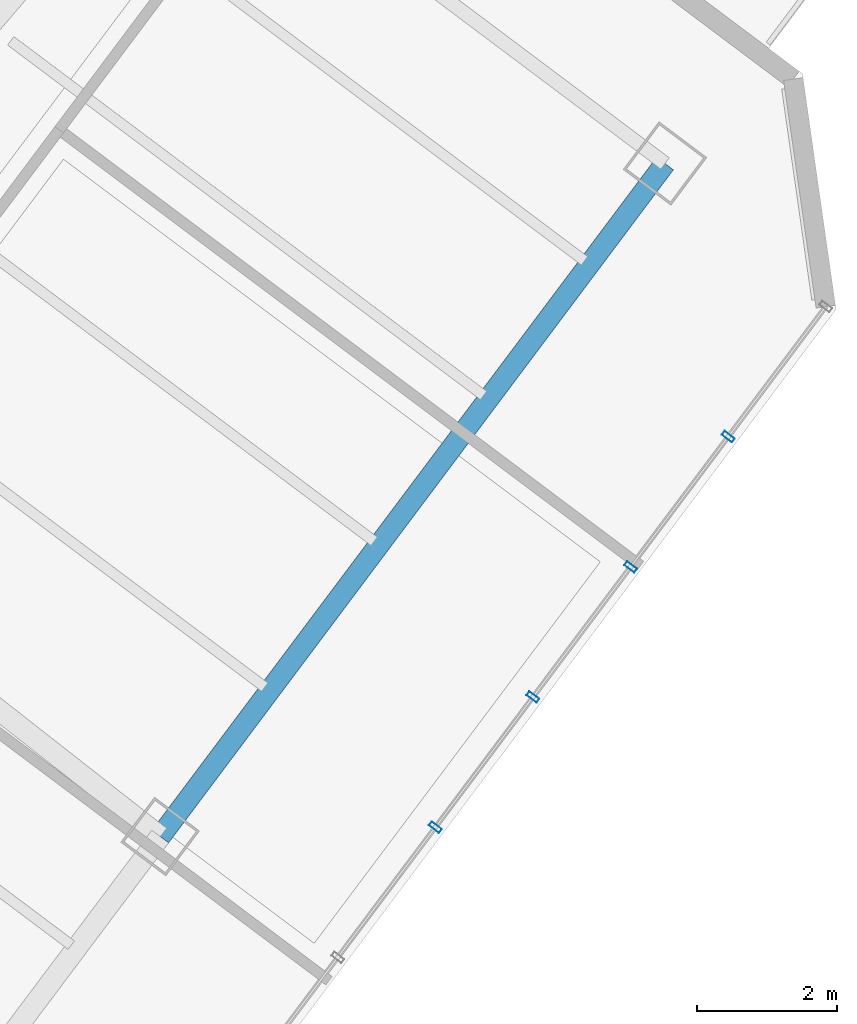
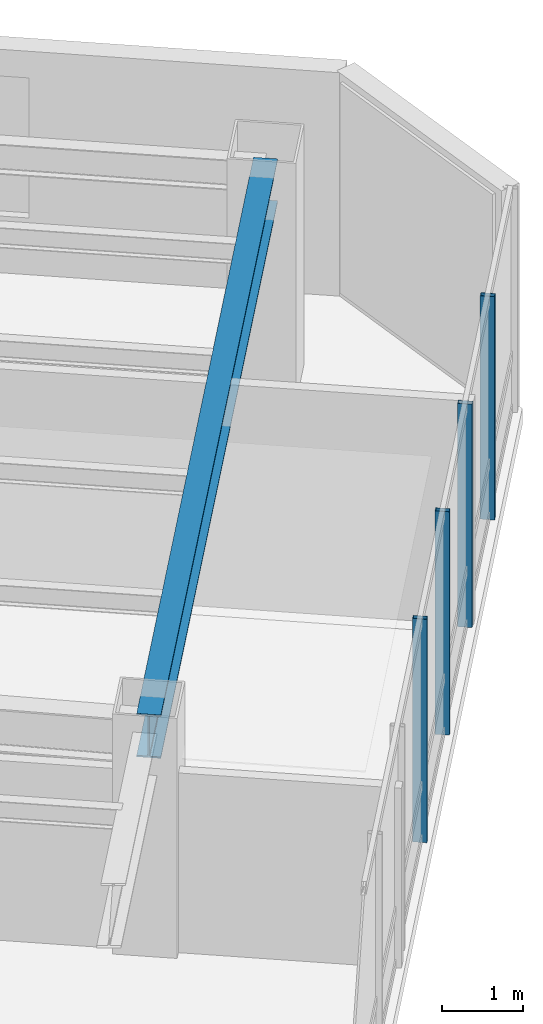
# One storey, part 13 of 27: 4 members, 1 beam, 1 element without a shape of its own.
"""IFC4 building model written with IfcOpenShell, lengths in metres."""

from ifc_helpers import new_model, si_unit, direction, frame, origin, origin_2d, place, context, subcontext, project, spatial, hollow_rectangle, i_section, extrude, material, layer, layer_set, material_profile, profile_set, type_object, element, aggregate, save


model = new_model("IFC4")

# Units and contexts
model_context = context("Model", 3, precision=1e-05, world=origin(), true_north=direction((0.0, 1.0)))
body_context = subcontext(model_context, "Body", "Model", "MODEL_VIEW")
ifc_project = project(units=[si_unit("LENGTHUNIT", "METRE"), si_unit("AREAUNIT", "SQUARE_METRE"), si_unit("VOLUMEUNIT", "CUBIC_METRE"), si_unit("PLANEANGLEUNIT", "RADIAN"), si_unit("MASSUNIT", "GRAM", prefix="KILO")], contexts=[model_context])

# Site, building, storey
site_placement = place(None, origin())
site = spatial("IfcSite", under=ifc_project, at=site_placement, CompositionType="ELEMENT")
building_placement = place(site_placement, origin())
building = spatial("IfcBuilding", under=site, at=building_placement, Name="Hatsunagi Terrace Concourse", CompositionType="ELEMENT")
storey_placement = place(building_placement, frame((0.0, 0.0, 142.050048828125)))
storey = spatial("IfcBuildingStorey", under=building, at=storey_placement, Name="L37", CompositionType="ELEMENT", Elevation=142.050048828125)

# Curtain wall, members
ifc_material_1 = material(Name="Anodised Aluminium Alloy 6063-T5", Category="aluminium")
ifc_layer = layer(ifc_material_1, 0.199951171875)
ifc_layer_set = layer_set([ifc_layer], Name="OfficeZone1_CW03")
curtain_wall_type = type_object("IfcCurtainWallType", Name="OfficeZone1_CW03", PredefinedType="NOTDEFINED", material=ifc_layer_set)
curtain_wall_placement = place(storey_placement, origin())
curtain_wall = element("IfcCurtainWall", 1, at=curtain_wall_placement, inside=storey, type_object=curtain_wall_type, Name="Unitised Curtain Wall CW-03 CW-L37-03", PredefinedType="NOTDEFINED")
ifc_material_2 = material(Name="Anodised Aluminium Alloy 6063-T5", Category="aluminium")
ifc_material_profile_1 = material_profile(ifc_material_2, hollow_rectangle(XDim=0.070068359375, YDim=0.179931640625, WallThickness=0.00390625, at=origin_2d()), Name="ALU-MUL-180x70x4")
ifc_profile_set_1 = profile_set([ifc_material_profile_1], Name="Anodised Aluminium Alloy 6063-T5")
member_type = type_object("IfcMemberType", Name="CurtainWallMullion_180x70", PredefinedType="MULLION", material=ifc_profile_set_1)
member_1_placement = place(storey_placement, frame((59.301025390625, 24.10205078125, 0.0), z_axis=(0.0, 0.0, 1.0), x_axis=(-0.599969314634, -0.800023013105, 0.0)))
member_1 = element("IfcMember", 2, at=member_1_placement, type_object=member_type, Name="Curtain Wall Mullion MUL-02", PredefinedType="MULLION", context=body_context, shape_type="SweptSolid", body=[
    extrude(hollow_rectangle(XDim=0.070068359375, YDim=0.179931640625, WallThickness=0.00390625, at=origin_2d()), origin(), (0.0, 0.0, 1.0), 3.349853515625),
])
member_2_placement = place(storey_placement, frame((57.908935546875, 22.2451171875, 0.0), z_axis=(0.0, 0.0, 1.0), x_axis=(-0.599969314634, -0.800023013105, 0.0)))
member_2 = element("IfcMember", 3, at=member_2_placement, type_object=member_type, Name="Curtain Wall Mullion MUL-02", PredefinedType="MULLION", context=body_context, shape_type="SweptSolid", body=[
    extrude(hollow_rectangle(XDim=0.070068359375, YDim=0.179931640625, WallThickness=0.00390625, at=origin_2d()), origin(), (0.0, 0.0, 1.0), 3.349853515625),
])
member_3_placement = place(storey_placement, frame((56.51611328125, 20.388916015625, 0.0), z_axis=(0.0, 0.0, 1.0), x_axis=(-0.599969314634, -0.800023013105, 0.0)))
member_3 = element("IfcMember", 4, at=member_3_placement, type_object=member_type, Name="Curtain Wall Mullion MUL-02", PredefinedType="MULLION", context=body_context, shape_type="SweptSolid", body=[
    extrude(hollow_rectangle(XDim=0.070068359375, YDim=0.179931640625, WallThickness=0.00390625, at=origin_2d()), origin(), (0.0, 0.0, 1.0), 3.349853515625),
])
member_4_placement = place(storey_placement, frame((55.1240234375, 18.531982421875, 0.0), z_axis=(0.0, 0.0, 1.0), x_axis=(-0.599969314634, -0.800023013105, 0.0)))
member_4 = element("IfcMember", 5, at=member_4_placement, type_object=member_type, Name="Curtain Wall Mullion MUL-02", PredefinedType="MULLION", context=body_context, shape_type="SweptSolid", body=[
    extrude(hollow_rectangle(XDim=0.070068359375, YDim=0.179931640625, WallThickness=0.00390625, at=origin_2d()), origin(), (0.0, 0.0, 1.0), 3.349853515625),
])
aggregate(curtain_wall, [member_1, member_2, member_3, member_4])

# Beam
ifc_material_3 = material(Name="Steel SN490B", Category="steel")
ifc_material_profile_2 = material_profile(ifc_material_3, i_section(OverallWidth=0.300048828125, OverallDepth=0.64990234375, WebThickness=0.012939453125, FlangeThickness=0.02197265625, FilletRadius=0.01806640625, at=origin_2d()), Name="H-650x300x13x22")
ifc_profile_set_2 = profile_set([ifc_material_profile_2], Name="Steel SN490B")
beam_type = type_object("IfcBeamType", Name="OfficeLowGirder_H_650x300", PredefinedType="BEAM", material=ifc_profile_set_2)
beam_placement = place(storey_placement, frame((51.199951171875, 18.39990234375, 3.02490234375), z_axis=(0.59999348959, 0.800004882766, 0.0), x_axis=(-0.800004882766, 0.59999348959, 0.0)))
element("IfcBeam", 6, at=beam_placement, inside=storey, type_object=beam_type, Name="Beam G-05 BM-L37-SET-2B", PredefinedType="BEAM", context=body_context, shape_type="SweptSolid", body=[
    extrude(i_section(OverallWidth=0.300048828125, OverallDepth=0.64990234375, WebThickness=0.012939453125, FlangeThickness=0.02197265625, FilletRadius=0.01806640625, at=origin_2d()), origin(), (0.0, 0.0, 1.0), 12.0),
])

save(model, "model.ifc")
